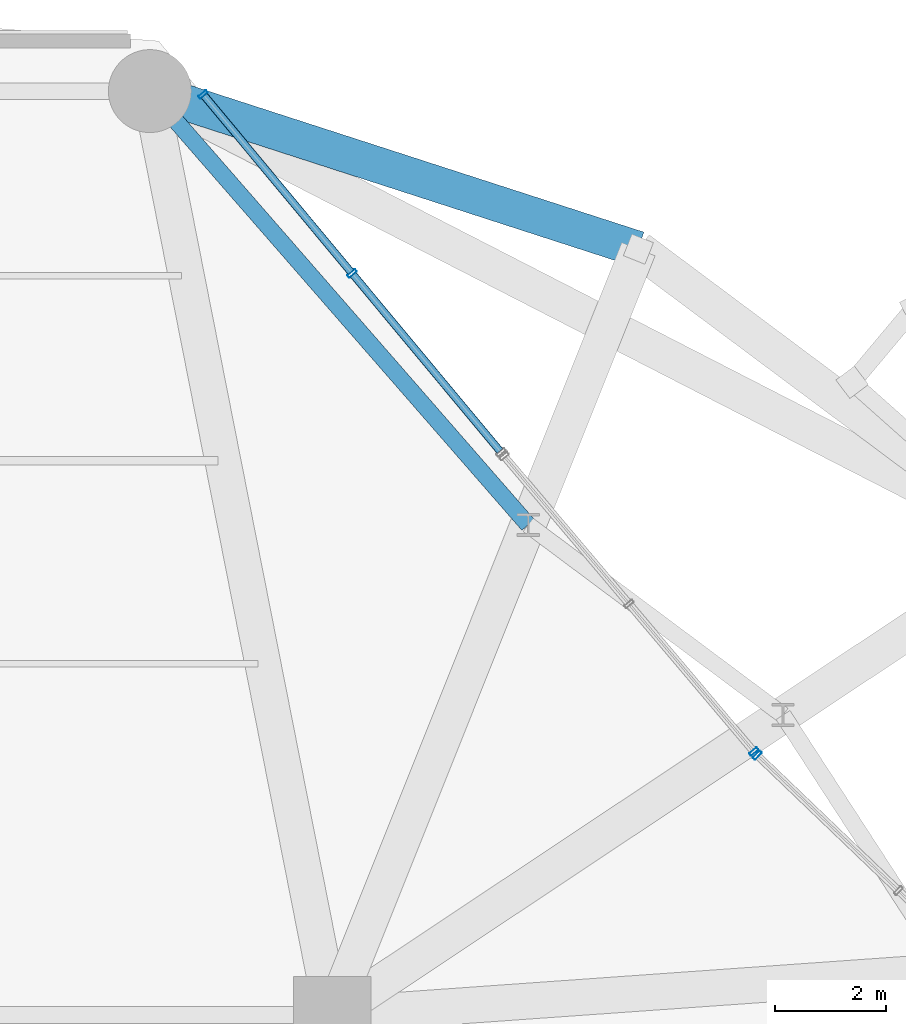
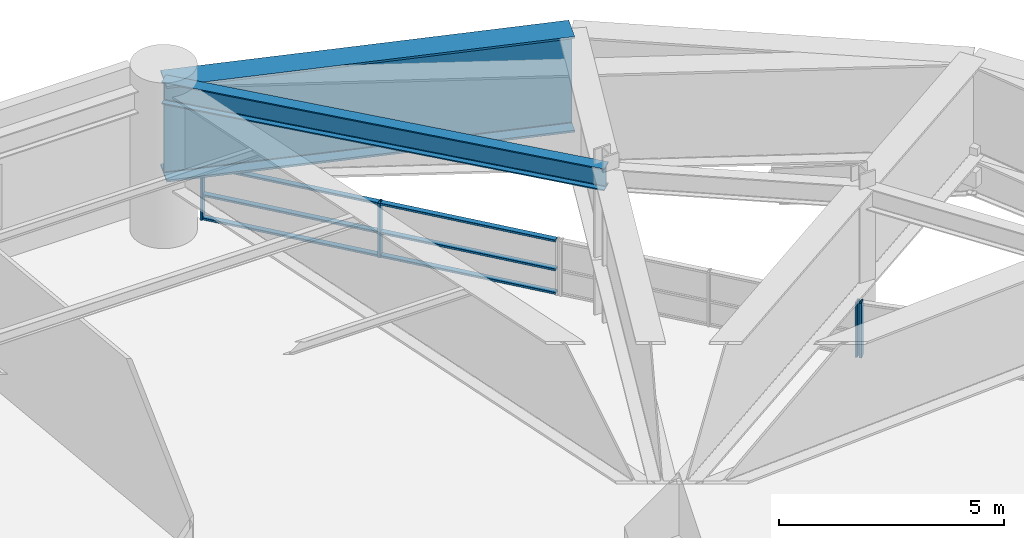
# One storey, part 34 of 52: 10 members, 2 beams, 3 elements without a shape of their own.
"""IFC4 building model written with IfcOpenShell, lengths in metres."""

from ifc_helpers import new_model, si_unit, direction, frame, origin, origin_2d, place, context, subcontext, project, spatial, hollow_rectangle, i_section, extrude, material, layer, layer_set, material_profile, profile_set, type_object, element, aggregate, save


model = new_model("IFC4")

# Units and contexts
model_context = context("Model", 3, precision=1e-05, world=origin(), true_north=direction((0.0, 1.0)))
body_context = subcontext(model_context, "Body", "Model", "MODEL_VIEW")
ifc_project = project(units=[si_unit("LENGTHUNIT", "METRE"), si_unit("AREAUNIT", "SQUARE_METRE"), si_unit("VOLUMEUNIT", "CUBIC_METRE"), si_unit("PLANEANGLEUNIT", "RADIAN"), si_unit("MASSUNIT", "GRAM", prefix="KILO")], contexts=[model_context])

# Site, building, storey
site_placement = place(None, origin())
site = spatial("IfcSite", under=ifc_project, at=site_placement, CompositionType="ELEMENT")
building_placement = place(site_placement, origin())
building = spatial("IfcBuilding", under=site, at=building_placement, Name="Kelanora Arch Commons", CompositionType="ELEMENT")
storey_placement = place(building_placement, frame((0.0, 0.0, 13.5)))
storey = spatial("IfcBuildingStorey", under=building, at=storey_placement, Name="L03", CompositionType="ELEMENT", Elevation=13.5)

# Beams
ifc_material_1 = material(Name="Steel S355", Category="steel")
ifc_material_profile_1 = material_profile(ifc_material_1, i_section(OverallWidth=0.300048828125, OverallDepth=0.60009765625, WebThickness=0.015380859375, FlangeThickness=0.030029296875, FilletRadius=0.027099609375, at=origin_2d()), Name="HEB600")
ifc_profile_set_1 = profile_set([ifc_material_profile_1], Name="Steel S355")
beam_type_1 = type_object("IfcBeamType", Name="BM-SPN-Z1", PredefinedType="SPANDREL", material=ifc_profile_set_1)
beam_1_placement = place(storey_placement, frame((85.545654296875, 73.866455078125, 3.800048828125), z_axis=(-0.657228792011, 0.753691127022, 0.0), x_axis=(-0.753691127022, -0.657228792011, 0.0)))
element("IfcBeam", 1, at=beam_1_placement, inside=storey, type_object=beam_type_1, Name="Arch Concourse Inner Edge Spandrel BSA-06 L03", PredefinedType="SPANDREL", context=body_context, shape_type="SweptSolid", body=[
    extrude(i_section(OverallWidth=0.300048828125, OverallDepth=0.60009765625, WebThickness=0.015380859375, FlangeThickness=0.030029296875, FilletRadius=0.027099609375, at=origin_2d()), origin(), (0.0, 0.0, 1.0), 10.412353515625),
])
ifc_material_profile_2 = material_profile(ifc_material_1, i_section(OverallWidth=0.64990234375, OverallDepth=2.60009765625, WebThickness=0.034912109375, FlangeThickness=0.054931640625, FilletRadius=0.028076171875, at=origin_2d()), Name="PG2600x650")
ifc_profile_set_2 = profile_set([ifc_material_profile_2], Name="Steel S355")
beam_type_2 = type_object("IfcBeamType", Name="BM-XFER-ARCH", PredefinedType="USERDEFINED", material=ifc_profile_set_2)
beam_2_placement = place(storey_placement, frame((87.5400390625, 78.85400390625, 2.800048828125), z_axis=(-0.951417120402, 0.307904957748, 0.0), x_axis=(-0.307904957748, -0.951417120402, 0.0)))
element("IfcBeam", 2, at=beam_2_placement, inside=storey, type_object=beam_type_2, Name="Perimeter Spandrel Beam BS-06 L03", ObjectType="TRANSFER_GIRDER", PredefinedType="USERDEFINED", context=body_context, shape_type="SweptSolid", body=[
    extrude(i_section(OverallWidth=0.64990234375, OverallDepth=2.60009765625, WebThickness=0.034912109375, FlangeThickness=0.054931640625, FilletRadius=0.028076171875, at=origin_2d()), origin(), (0.0, 0.0, 1.0), 9.288818359375),
])

# Curtain wall, member
ifc_material_2 = material(Name="Terracotta ceramic-fritted low-E glass and aluminium", Category="masonry")
ifc_layer = layer(ifc_material_2, 0.2099609375)
ifc_layer_set = layer_set([ifc_layer], Name="Terracotta ceramic-fritted low-E glass and aluminium")
curtain_wall_type = type_object("IfcCurtainWallType", Name="CW-SYS-04", PredefinedType="NOTDEFINED", material=ifc_layer_set)
curtain_wall_1_placement = place(storey_placement, origin())
curtain_wall_1 = element("IfcCurtainWall", 3, at=curtain_wall_1_placement, inside=storey, type_object=curtain_wall_type, Name="Unitised Curtain Wall L03-B01", PredefinedType="NOTDEFINED")
ifc_material_3 = material(Name="Powder-coated aluminium terracotta", Category="masonry")
ifc_material_profile_3 = material_profile(ifc_material_3, hollow_rectangle(XDim=0.179931640625, YDim=0.06005859375, WallThickness=0.0048828125, InnerFilletRadius=0.0048828125, OuterFilletRadius=0.010009765625, at=origin_2d()), Name="CWM180x60")
ifc_profile_set_3 = profile_set([ifc_material_profile_3], Name="Powder-coated aluminium terracotta")
member_type_1 = type_object("IfcMemberType", Name="CWM-HVY", PredefinedType="MULLION", material=ifc_profile_set_3)
member_1_placement = place(storey_placement, frame((89.6904296875, 69.69970703125, 0.0), z_axis=(0.0, 0.0, 1.0), x_axis=(-0.691952518914, -0.721943011302, 0.0)))
member_1 = element("IfcMember", 4, at=member_1_placement, type_object=member_type_1, Name="CW-04 mullion 3", PredefinedType="MULLION", context=body_context, shape_type="SweptSolid", body=[
    extrude(hollow_rectangle(XDim=0.179931640625, YDim=0.06005859375, WallThickness=0.0048828125, InnerFilletRadius=0.0048828125, OuterFilletRadius=0.010009765625, at=origin_2d()), origin(), (0.0, 0.0, 1.0), 1.47998046875),
])
aggregate(curtain_wall_1, [member_1])

curtain_wall_2_placement = place(storey_placement, origin())
curtain_wall_2 = element("IfcCurtainWall", 5, at=curtain_wall_2_placement, inside=storey, type_object=curtain_wall_type, Name="Unitised Curtain Wall L03-B02", PredefinedType="NOTDEFINED")
member_2_placement = place(storey_placement, frame((89.62890625, 69.765380859375, 0.0), z_axis=(0.0, 0.0, 1.0), x_axis=(-0.763854903949, -0.645388011752, 0.0)))
member_2 = element("IfcMember", 6, at=member_2_placement, type_object=member_type_1, Name="CW-04 mullion 1", PredefinedType="MULLION", context=body_context, shape_type="SweptSolid", body=[
    extrude(hollow_rectangle(XDim=0.179931640625, YDim=0.06005859375, WallThickness=0.0048828125, InnerFilletRadius=0.0048828125, OuterFilletRadius=0.010009765625, at=origin_2d()), origin(), (0.0, 0.0, 1.0), 1.47998046875),
])
aggregate(curtain_wall_2, [member_2])

# Curtain wall, members
curtain_wall_3_placement = place(storey_placement, origin())
curtain_wall_3 = element("IfcCurtainWall", 7, at=curtain_wall_3_placement, inside=storey, type_object=curtain_wall_type, Name="Unitised Curtain Wall L03-B03", PredefinedType="NOTDEFINED")
member_3_placement = place(storey_placement, frame((82.361083984375, 78.416015625, 0.0), z_axis=(0.0, 0.0, 1.0), x_axis=(-0.768622918602, -0.639702125211, 0.0)))
member_3 = element("IfcMember", 8, at=member_3_placement, type_object=member_type_1, Name="CW-04 mullion 2", PredefinedType="MULLION", context=body_context, shape_type="SweptSolid", body=[
    extrude(hollow_rectangle(XDim=0.179931640625, YDim=0.06005859375, WallThickness=0.0048828125, InnerFilletRadius=0.0048828125, OuterFilletRadius=0.010009765625, at=origin_2d()), origin(), (0.0, 0.0, 1.0), 1.47998046875),
])
member_4_placement = place(storey_placement, frame((79.665771484375, 81.654541015625, 0.0), z_axis=(0.0, 0.0, 1.0), x_axis=(-0.768622918602, -0.639702125211, 0.0)))
member_4 = element("IfcMember", 9, at=member_4_placement, type_object=member_type_1, Name="CW-04 mullion 3", PredefinedType="MULLION", context=body_context, shape_type="SweptSolid", body=[
    extrude(hollow_rectangle(XDim=0.179931640625, YDim=0.06005859375, WallThickness=0.0048828125, InnerFilletRadius=0.0048828125, OuterFilletRadius=0.010009765625, at=origin_2d()), origin(), (0.0, 0.0, 1.0), 1.47998046875),
])
ifc_material_profile_4 = material_profile(ifc_material_3, hollow_rectangle(XDim=0.139892578125, YDim=0.06005859375, WallThickness=0.0048828125, InnerFilletRadius=0.0048828125, OuterFilletRadius=0.010009765625, at=origin_2d()), Name="CWT140x60")
ifc_profile_set_4 = profile_set([ifc_material_profile_4], Name="Powder-coated aluminium terracotta")
member_type_2 = type_object("IfcMemberType", Name="CWT-HVY", PredefinedType="USERDEFINED", material=ifc_profile_set_4)
member_5_placement = place(storey_placement, frame((85.037109375, 75.20068359375, 0.030029296875), z_axis=(-0.639704353367, 0.768621064168, 0.0), x_axis=(-0.768621064168, -0.639704353367, 0.0)))
member_5 = element("IfcMember", 10, at=member_5_placement, type_object=member_type_2, Name="CW-04 transom 1.1", ObjectType="TRANSOM", PredefinedType="USERDEFINED", context=body_context, shape_type="SweptSolid", body=[
    extrude(hollow_rectangle(XDim=0.139892578125, YDim=0.06005859375, WallThickness=0.0048828125, InnerFilletRadius=0.0048828125, OuterFilletRadius=0.010009765625, at=origin_2d()), origin(), (0.0, 0.0, 1.0), 4.153076171875),
])
member_6_placement = place(storey_placement, frame((85.037109375, 75.20068359375, 0.666015625), z_axis=(-0.639704353367, 0.768621064168, 0.0), x_axis=(-0.768621064168, -0.639704353367, 0.0)))
member_6 = element("IfcMember", 11, at=member_6_placement, type_object=member_type_2, Name="CW-04 transom 1.2", ObjectType="TRANSOM", PredefinedType="USERDEFINED", context=body_context, shape_type="SweptSolid", body=[
    extrude(hollow_rectangle(XDim=0.139892578125, YDim=0.06005859375, WallThickness=0.0048828125, InnerFilletRadius=0.0048828125, OuterFilletRadius=0.010009765625, at=origin_2d()), origin(), (0.0, 0.0, 1.0), 4.153076171875),
])
member_7_placement = place(storey_placement, frame((85.037109375, 75.20068359375, 1.449951171875), z_axis=(-0.639704353367, 0.768621064168, 0.0), x_axis=(-0.768621064168, -0.639704353367, 0.0)))
member_7 = element("IfcMember", 12, at=member_7_placement, type_object=member_type_2, Name="CW-04 transom 1.3", ObjectType="TRANSOM", PredefinedType="USERDEFINED", context=body_context, shape_type="SweptSolid", body=[
    extrude(hollow_rectangle(XDim=0.139892578125, YDim=0.06005859375, WallThickness=0.0048828125, InnerFilletRadius=0.0048828125, OuterFilletRadius=0.010009765625, at=origin_2d()), origin(), (0.0, 0.0, 1.0), 4.153076171875),
])
member_8_placement = place(storey_placement, frame((82.342041015625, 78.43896484375, 0.030029296875), z_axis=(-0.639710177815, 0.768616216586, 0.0), x_axis=(-0.768616216586, -0.639710177815, 0.0)))
member_8 = element("IfcMember", 13, at=member_8_placement, type_object=member_type_2, Name="CW-04 transom 2.1", ObjectType="TRANSOM", PredefinedType="USERDEFINED", context=body_context, shape_type="SweptSolid", body=[
    extrude(hollow_rectangle(XDim=0.139892578125, YDim=0.06005859375, WallThickness=0.0048828125, InnerFilletRadius=0.0048828125, OuterFilletRadius=0.010009765625, at=origin_2d()), origin(), (0.0, 0.0, 1.0), 4.1533203125),
])
member_9_placement = place(storey_placement, frame((82.342041015625, 78.43896484375, 0.666015625), z_axis=(-0.639710177815, 0.768616216586, 0.0), x_axis=(-0.768616216586, -0.639710177815, 0.0)))
member_9 = element("IfcMember", 14, at=member_9_placement, type_object=member_type_2, Name="CW-04 transom 2.2", ObjectType="TRANSOM", PredefinedType="USERDEFINED", context=body_context, shape_type="SweptSolid", body=[
    extrude(hollow_rectangle(XDim=0.139892578125, YDim=0.06005859375, WallThickness=0.0048828125, InnerFilletRadius=0.0048828125, OuterFilletRadius=0.010009765625, at=origin_2d()), origin(), (0.0, 0.0, 1.0), 4.1533203125),
])
member_10_placement = place(storey_placement, frame((82.342041015625, 78.43896484375, 1.449951171875), z_axis=(-0.639710177815, 0.768616216586, 0.0), x_axis=(-0.768616216586, -0.639710177815, 0.0)))
member_10 = element("IfcMember", 15, at=member_10_placement, type_object=member_type_2, Name="CW-04 transom 2.3", ObjectType="TRANSOM", PredefinedType="USERDEFINED", context=body_context, shape_type="SweptSolid", body=[
    extrude(hollow_rectangle(XDim=0.139892578125, YDim=0.06005859375, WallThickness=0.0048828125, InnerFilletRadius=0.0048828125, OuterFilletRadius=0.010009765625, at=origin_2d()), origin(), (0.0, 0.0, 1.0), 4.1533203125),
])
aggregate(curtain_wall_3, [member_3, member_4, member_5, member_6, member_7, member_8, member_9, member_10])

save(model, "model.ifc")
